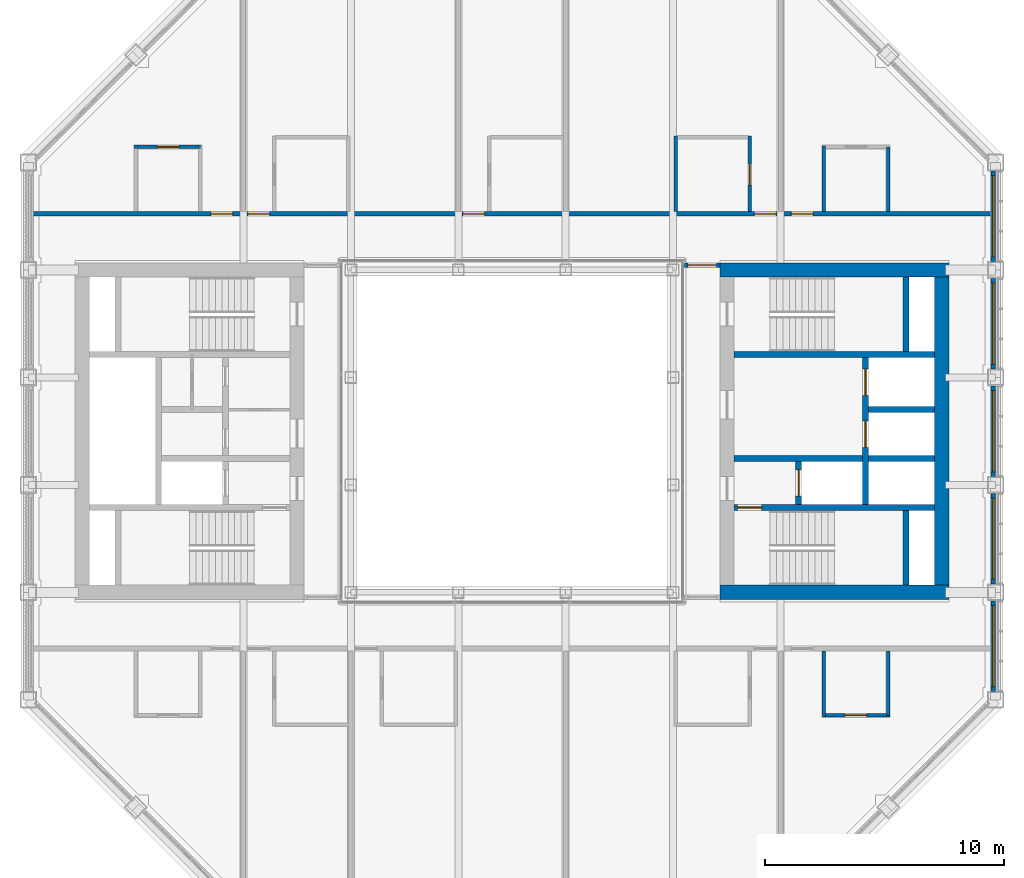
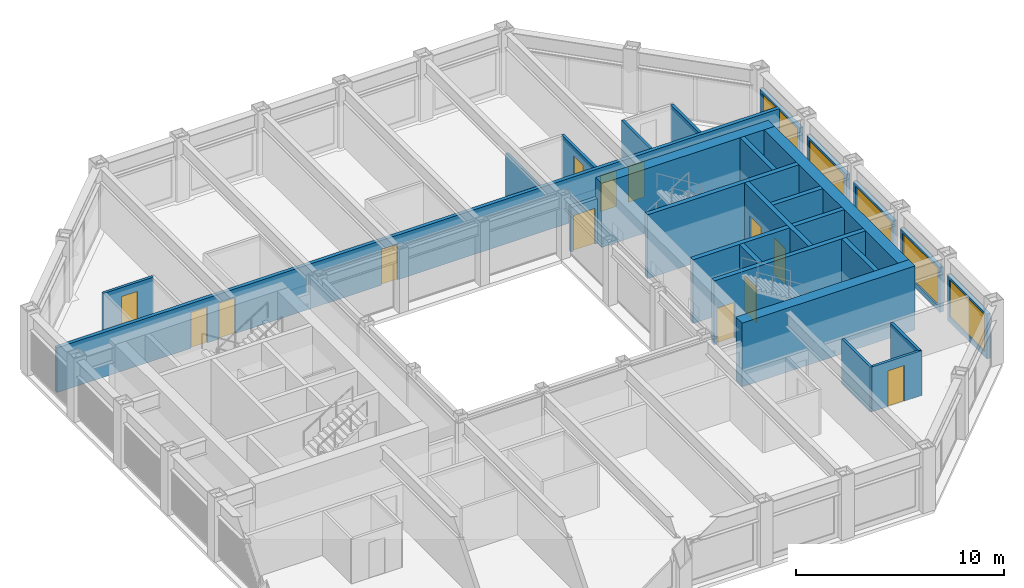
# One storey, part 11 of 16: 27 walls, 13 doors, 5 windows, 18 openings.
"""IFC4 building model written with IfcOpenShell, lengths in metres."""

from ifc_helpers import new_model, si_unit, direction, frame, frame_2d, origin, place, context, subcontext, project, spatial, rectangle, extrude, material, layer, layer_set, type_object, element, fill, save


model = new_model("IFC4")

# Units and contexts
model_context = context("Model", 3, precision=1e-05, world=origin(), true_north=direction((0.0, 1.0)))
body_context = subcontext(model_context, "Body", "Model", "MODEL_VIEW")
ifc_project = project(units=[si_unit("LENGTHUNIT", "METRE"), si_unit("AREAUNIT", "SQUARE_METRE"), si_unit("VOLUMEUNIT", "CUBIC_METRE"), si_unit("PLANEANGLEUNIT", "RADIAN"), si_unit("MASSUNIT", "GRAM", prefix="KILO")], contexts=[model_context])

# Site, building, storey
site_placement = place(None, origin())
site = spatial("IfcSite", under=ifc_project, at=site_placement, CompositionType="ELEMENT")
building_placement = place(site_placement, origin())
building = spatial("IfcBuilding", under=site, at=building_placement, Name="Msasa Ring Tower", CompositionType="ELEMENT")
storey_placement = place(building_placement, frame((0.0, 0.0, 212.050048828125)))
storey = spatial("IfcBuildingStorey", under=building, at=storey_placement, Name="L55", CompositionType="ELEMENT", Elevation=212.050048828125)

# Walls
ifc_material_1 = material(Name="Concrete C60/75", Category="concrete")
ifc_layer_1 = layer(ifc_material_1, 0.60009765625)
ifc_layer_set_1 = layer_set([ifc_layer_1], Name="CW3 CORE WALL 600")
wall_type_1 = type_object("IfcWallType", Name="CW3 CORE WALL 600", PredefinedType="SHEAR", material=ifc_layer_set_1)
for number, where, z_axis, x_axis, name in (
    (1, (8.699951171875, -6.75, 0.0), (0.0, 0.0, 1.0), (1.0, 0.0, 0.0), "E core wall S L55"),
    (2, (8.699951171875, 6.75, 0.0), (0.0, 0.0, 1.0), (1.0, 0.0, 0.0), "E core wall N L55"),
):
    element("IfcWall", number, at=place(storey_placement, frame(where, z_axis=z_axis, x_axis=x_axis)), inside=storey, type_object=wall_type_1, Name=name, PredefinedType="SHEAR", context=body_context, shape_type="SweptSolid", body=[
        extrude(rectangle(XDim=9.60009765625, YDim=0.60009765625, at=frame_2d((4.800048828125, 0.0))), origin(), (0.0, 0.0, 1.0), 3.75),
    ])
wall_1_placement = place(storey_placement, frame((18.0, -6.449951171875, 0.0), z_axis=(0.0, 0.0, 1.0), x_axis=(0.0, 1.0, 0.0)))
element("IfcWall", 3, at=wall_1_placement, inside=storey, type_object=wall_type_1, Name="E core wall E L55", PredefinedType="SHEAR", context=body_context, shape_type="SweptSolid", body=[
    extrude(rectangle(XDim=12.89990234375, YDim=0.60009765625, at=frame_2d((6.449951171875, 0.0))), origin(), (0.0, 0.0, 1.0), 3.75),
])

# Wall, opening, door
ifc_material_2 = material(Name="Concrete C60/75", Category="concrete")
ifc_layer_2 = layer(ifc_material_2, 0.25)
ifc_layer_set_2 = layer_set([ifc_layer_2], Name="CW4 CORE INNER WALL 250")
wall_type_2 = type_object("IfcWallType", Name="CW4 CORE INNER WALL 250", PredefinedType="SHEAR", material=ifc_layer_set_2)
wall_2_placement = place(storey_placement, frame((9.300048828125, -3.199951171875, 0.0), z_axis=(0.0, 0.0, 1.0), x_axis=(1.0, 0.0, 0.0)))
wall_2 = element("IfcWall", 4, at=wall_2_placement, inside=storey, type_object=wall_type_2, Name="E core wall STAIRA L55", PredefinedType="SHEAR", context=body_context, shape_type="SweptSolid", body=[
    extrude(rectangle(XDim=8.39990234375, YDim=0.25, at=frame_2d((4.199951171875, 0.0))), origin(), (0.0, 0.0, 1.0), 3.75),
])
opening_1_placement = place(wall_2_placement, frame((0.14990234375, 0.0, 0.0)))
opening_1 = element("IfcOpeningElement", 5, at=opening_1_placement, cuts=wall_2, Name="Opening SB-024", PredefinedType="OPENING", context=body_context, shape_type="SweptSolid", body=[
    extrude(rectangle(XDim=1.0, YDim=2.10009765625, at=frame_2d((0.5, 1.050048828125))), frame((0.0, 0.135009765625, 0.0), z_axis=(0.0, -1.0, 0.0), x_axis=(1.0, 0.0, 0.0)), (0.0, 0.0, 1.0), 0.27001953125),
])
ifc_material_3 = material(Name="Timber door leaf in a steel frame", Category="steel")
door_type_1 = type_object("IfcDoorType", Name="D6 STAIR DOOR 1000x2100", OperationType="SINGLE_SWING_LEFT", PredefinedType="DOOR", material=ifc_material_3)
door_1_placement = place(opening_1_placement, origin())
door_1 = element("IfcDoor", 6, at=door_1_placement, inside=storey, type_object=door_type_1, Name="Door L55-ESTA", OperationType="SINGLE_SWING_LEFT", OverallHeight=2.10009765625, OverallWidth=1.0, PredefinedType="DOOR", context=body_context, shape_type="SweptSolid", body=[
    extrude(rectangle(XDim=1.0, YDim=2.10009765625, at=frame_2d((0.5, 1.050048828125))), frame((0.0, 0.02490234375, 0.0), z_axis=(0.0, -1.0, 0.0), x_axis=(1.0, 0.0, 0.0)), (0.0, 0.0, 1.0), 0.050048828125),
])
fill(opening_1, door_1)

# Walls
wall_3_placement = place(storey_placement, frame((9.300048828125, 3.199951171875, 0.0), z_axis=(0.0, 0.0, 1.0), x_axis=(1.0, 0.0, 0.0)))
element("IfcWall", 7, at=wall_3_placement, inside=storey, type_object=wall_type_2, Name="E core wall STAIRB L55", PredefinedType="SHEAR", context=body_context, shape_type="SweptSolid", body=[
    extrude(rectangle(XDim=8.39990234375, YDim=0.25, at=frame_2d((4.199951171875, 0.0))), origin(), (0.0, 0.0, 1.0), 3.75),
])
for number, where, z_axis, x_axis, name in (
    (8, (16.5, -6.449951171875, 0.0), (0.0, 0.0, 1.0), (0.0, 1.0, 0.0), "E core wall RISERA L55"),
    (9, (16.5, 3.324951171875, 0.0), (0.0, 0.0, 1.0), (0.0, 1.0, 0.0), "E core wall RISERB L55"),
):
    element("IfcWall", number, at=place(storey_placement, frame(where, z_axis=z_axis, x_axis=x_axis)), inside=storey, type_object=wall_type_2, Name=name, PredefinedType="SHEAR", context=body_context, shape_type="SweptSolid", body=[
        extrude(rectangle(XDim=3.125, YDim=0.25, at=frame_2d((1.5625, 0.0))), origin(), (0.0, 0.0, 1.0), 3.75),
    ])
wall_4_placement = place(storey_placement, frame((9.300048828125, -1.14990234375, 0.0), z_axis=(0.0, 0.0, 1.0), x_axis=(1.0, 0.0, 0.0)))
element("IfcWall", 10, at=wall_4_placement, inside=storey, type_object=wall_type_2, Name="E core wall FFL L55", PredefinedType="SHEAR", context=body_context, shape_type="SweptSolid", body=[
    extrude(rectangle(XDim=5.375, YDim=0.25, at=frame_2d((2.6875, 0.0))), origin(), (0.0, 0.0, 1.0), 3.75),
])

# Wall, opening, door
wall_5_placement = place(storey_placement, frame((12.0, -3.074951171875, 0.0), z_axis=(0.0, 0.0, 1.0), x_axis=(0.0, 1.0, 0.0)))
wall_5 = element("IfcWall", 11, at=wall_5_placement, inside=storey, type_object=wall_type_2, Name="E core wall LOBBY L55", PredefinedType="SHEAR", context=body_context, shape_type="SweptSolid", body=[
    extrude(rectangle(XDim=1.800048828125, YDim=0.25, at=frame_2d((0.89990234375, 0.0))), origin(), (0.0, 0.0, 1.0), 3.75),
])
opening_2_placement = place(wall_5_placement, frame((0.35009765625, 0.0, 0.0)))
opening_2 = element("IfcOpeningElement", 12, at=opening_2_placement, cuts=wall_5, Name="Opening LD1", PredefinedType="OPENING", context=body_context, shape_type="SweptSolid", body=[
    extrude(rectangle(XDim=1.10009765625, YDim=2.10009765625, at=frame_2d((0.550048828125, 1.050048828125))), frame((0.0, 0.135009765625, 0.0), z_axis=(0.0, -1.0, 0.0), x_axis=(1.0, 0.0, 0.0)), (0.0, 0.0, 1.0), 0.27001953125),
])
ifc_material_4 = material(Name="Stainless steel lift landing door", Category="steel")
door_type_2 = type_object("IfcDoorType", Name="LD1 LIFT LANDING DOOR 1100x2100", OperationType="DOUBLE_DOOR_SLIDING", PredefinedType="DOOR", material=ifc_material_4)
door_2_placement = place(opening_2_placement, origin())
door_2 = element("IfcDoor", 13, at=door_2_placement, inside=storey, type_object=door_type_2, Name="Lift landing door FL-E L55", OperationType="DOUBLE_DOOR_SLIDING", OverallHeight=2.10009765625, OverallWidth=1.10009765625, PredefinedType="DOOR", context=body_context, shape_type="SweptSolid", body=[
    extrude(rectangle(XDim=1.10009765625, YDim=2.10009765625, at=frame_2d((0.550048828125, 1.050048828125))), frame((0.0, 0.02490234375, 0.0), z_axis=(0.0, -1.0, 0.0), x_axis=(1.0, 0.0, 0.0)), (0.0, 0.0, 1.0), 0.050048828125),
])
fill(opening_2, door_2)

# Wall, openings, doors
wall_6_placement = place(storey_placement, frame((14.800048828125, -3.074951171875, 0.0), z_axis=(0.0, 0.0, 1.0), x_axis=(0.0, 1.0, 0.0)))
wall_6 = element("IfcWall", 14, at=wall_6_placement, inside=storey, type_object=wall_type_2, Name="E core wall SHAFT L55", PredefinedType="SHEAR", context=body_context, shape_type="SweptSolid", body=[
    extrude(rectangle(XDim=6.14990234375, YDim=0.25, at=frame_2d((3.074951171875, 0.0))), origin(), (0.0, 0.0, 1.0), 3.75),
])
opening_3_placement = place(wall_6_placement, frame((2.39990234375, 0.0, 0.0)))
opening_3 = element("IfcOpeningElement", 15, at=opening_3_placement, cuts=wall_6, Name="Opening LD1", PredefinedType="OPENING", context=body_context, shape_type="SweptSolid", body=[
    extrude(rectangle(XDim=1.10009765625, YDim=2.10009765625, at=frame_2d((0.550048828125, 1.050048828125))), frame((0.0, 0.135009765625, 0.0), z_axis=(0.0, -1.0, 0.0), x_axis=(1.0, 0.0, 0.0)), (0.0, 0.0, 1.0), 0.27001953125),
])
opening_4_placement = place(wall_6_placement, frame((4.574951171875, 0.0, 0.0)))
opening_4 = element("IfcOpeningElement", 16, at=opening_4_placement, cuts=wall_6, Name="Opening LD1", PredefinedType="OPENING", context=body_context, shape_type="SweptSolid", body=[
    extrude(rectangle(XDim=1.10009765625, YDim=2.10009765625, at=frame_2d((0.550048828125, 1.050048828125))), frame((0.0, 0.135009765625, 0.0), z_axis=(0.0, -1.0, 0.0), x_axis=(1.0, 0.0, 0.0)), (0.0, 0.0, 1.0), 0.27001953125),
])
door_3_placement = place(opening_3_placement, origin())
door_3 = element("IfcDoor", 17, at=door_3_placement, inside=storey, type_object=door_type_2, Name="Lift landing door PL-H1 L55", OperationType="DOUBLE_DOOR_SLIDING", OverallHeight=2.10009765625, OverallWidth=1.10009765625, PredefinedType="DOOR", context=body_context, shape_type="SweptSolid", body=[
    extrude(rectangle(XDim=1.10009765625, YDim=2.10009765625, at=frame_2d((0.550048828125, 1.050048828125))), frame((0.0, 0.02490234375, 0.0), z_axis=(0.0, -1.0, 0.0), x_axis=(1.0, 0.0, 0.0)), (0.0, 0.0, 1.0), 0.050048828125),
])
fill(opening_3, door_3)
door_4_placement = place(opening_4_placement, origin())
door_4 = element("IfcDoor", 18, at=door_4_placement, inside=storey, type_object=door_type_2, Name="Lift landing door PL-H2 L55", OperationType="DOUBLE_DOOR_SLIDING", OverallHeight=2.10009765625, OverallWidth=1.10009765625, PredefinedType="DOOR", context=body_context, shape_type="SweptSolid", body=[
    extrude(rectangle(XDim=1.10009765625, YDim=2.10009765625, at=frame_2d((0.550048828125, 1.050048828125))), frame((0.0, 0.02490234375, 0.0), z_axis=(0.0, -1.0, 0.0), x_axis=(1.0, 0.0, 0.0)), (0.0, 0.0, 1.0), 0.050048828125),
])
fill(opening_4, door_4)

# Walls
for number, where, z_axis, x_axis, name in (
    (19, (14.925048828125, -1.14990234375, 0.0), (0.0, 0.0, 1.0), (1.0, 0.0, 0.0), "E core wall HSEP L55"),
    (20, (14.925048828125, 0.89990234375, 0.0), (0.0, 0.0, 1.0), (1.0, 0.0, 0.0), "E core wall HLIFT L55"),
):
    element("IfcWall", number, at=place(storey_placement, frame(where, z_axis=z_axis, x_axis=x_axis)), inside=storey, type_object=wall_type_2, Name=name, PredefinedType="SHEAR", context=body_context, shape_type="SweptSolid", body=[
        extrude(rectangle(XDim=2.77490234375, YDim=0.25, at=frame_2d((1.387451171875, 0.0))), origin(), (0.0, 0.0, 1.0), 3.75),
    ])

# Wall, opening, window
ifc_material_5 = material(Name="Terracotta rainscreen on blockwork", Category="masonry")
ifc_layer_3 = layer(ifc_material_5, 0.199951171875)
ifc_layer_set_3 = layer_set([ifc_layer_3], Name="FW1 TERRACOTTA-LINED INFILL BAY WALL 200")
wall_type_3 = type_object("IfcWallType", Name="FW1 TERRACOTTA-LINED INFILL BAY WALL 200", PredefinedType="SOLIDWALL", material=ifc_layer_set_3)
wall_7_placement = place(storey_placement, frame((20.14990234375, -10.89501953125, 0.0), z_axis=(0.0, 0.0, 1.0), x_axis=(0.0, 1.0, 0.0)))
wall_7 = element("IfcWall", 21, at=wall_7_placement, inside=storey, type_object=wall_type_3, Name="Infill bay wall E L55 07", PredefinedType="SOLIDWALL", context=body_context, shape_type="SweptSolid", body=[
    extrude(rectangle(XDim=3.7900390625, YDim=0.199951171875, at=frame_2d((1.89501953125, 0.0))), origin(), (0.0, 0.0, 1.0), 2.62890625),
])
opening_5_placement = place(wall_7_placement, frame((0.195068359375, 0.0, 0.300048828125)))
opening_5 = element("IfcOpeningElement", 22, at=opening_5_placement, cuts=wall_7, Name="Opening WN3", PredefinedType="OPENING", context=body_context, shape_type="SweptSolid", body=[
    extrude(rectangle(XDim=3.39990234375, YDim=2.178955078125, at=frame_2d((1.699951171875, 1.08935546875))), frame((0.0, 0.10986328125, 0.0), z_axis=(0.0, -1.0, 0.0), x_axis=(1.0, 0.0, 0.0)), (0.0, 0.0, 1.0), 0.219970703125),
])
ifc_material_6 = material(Name="Aluminium frame with clear glass", Category="aluminium")
window_type = type_object("IfcWindowType", Name="WN3 SUITE WINDOW 3400x2179", PartitioningType="SINGLE_PANEL", PredefinedType="WINDOW", material=ifc_material_6)
window_1_placement = place(opening_5_placement, origin())
window_1 = element("IfcWindow", 23, at=window_1_placement, inside=storey, type_object=window_type, Name="Window E L55 07", OverallHeight=2.178955078125, OverallWidth=3.39990234375, PartitioningType="SINGLE_PANEL", PredefinedType="WINDOW", context=body_context, shape_type="SweptSolid", body=[
    extrude(rectangle(XDim=3.39990234375, YDim=2.178955078125, at=frame_2d((1.699951171875, 1.08935546875))), frame((0.0, 0.030029296875, 0.0), z_axis=(0.0, -1.0, 0.0), x_axis=(1.0, 0.0, 0.0)), (0.0, 0.0, 1.0), 0.06005859375),
])
fill(opening_5, window_1)

wall_8_placement = place(storey_placement, frame((20.14990234375, -6.39501953125, 0.0), z_axis=(0.0, 0.0, 1.0), x_axis=(0.0, 1.0, 0.0)))
wall_8 = element("IfcWall", 24, at=wall_8_placement, inside=storey, type_object=wall_type_3, Name="Infill bay wall E L55 08", PredefinedType="SOLIDWALL", context=body_context, shape_type="SweptSolid", body=[
    extrude(rectangle(XDim=3.7900390625, YDim=0.199951171875, at=frame_2d((1.89501953125, 0.0))), origin(), (0.0, 0.0, 1.0), 2.62890625),
])
opening_6_placement = place(wall_8_placement, frame((0.195068359375, 0.0, 0.300048828125)))
opening_6 = element("IfcOpeningElement", 25, at=opening_6_placement, cuts=wall_8, Name="Opening WN3", PredefinedType="OPENING", context=body_context, shape_type="SweptSolid", body=[
    extrude(rectangle(XDim=3.39990234375, YDim=2.178955078125, at=frame_2d((1.699951171875, 1.08935546875))), frame((0.0, 0.10986328125, 0.0), z_axis=(0.0, -1.0, 0.0), x_axis=(1.0, 0.0, 0.0)), (0.0, 0.0, 1.0), 0.219970703125),
])
window_2_placement = place(opening_6_placement, origin())
window_2 = element("IfcWindow", 26, at=window_2_placement, inside=storey, type_object=window_type, Name="Window E L55 08", OverallHeight=2.178955078125, OverallWidth=3.39990234375, PartitioningType="SINGLE_PANEL", PredefinedType="WINDOW", context=body_context, shape_type="SweptSolid", body=[
    extrude(rectangle(XDim=3.39990234375, YDim=2.178955078125, at=frame_2d((1.699951171875, 1.08935546875))), frame((0.0, 0.030029296875, 0.0), z_axis=(0.0, -1.0, 0.0), x_axis=(1.0, 0.0, 0.0)), (0.0, 0.0, 1.0), 0.06005859375),
])
fill(opening_6, window_2)

wall_9_placement = place(storey_placement, frame((20.14990234375, -1.89501953125, 0.0), z_axis=(0.0, 0.0, 1.0), x_axis=(0.0, 1.0, 0.0)))
wall_9 = element("IfcWall", 27, at=wall_9_placement, inside=storey, type_object=wall_type_3, Name="Infill bay wall E L55 09", PredefinedType="SOLIDWALL", context=body_context, shape_type="SweptSolid", body=[
    extrude(rectangle(XDim=3.7900390625, YDim=0.199951171875, at=frame_2d((1.89501953125, 0.0))), origin(), (0.0, 0.0, 1.0), 2.62890625),
])
opening_7_placement = place(wall_9_placement, frame((0.195068359375, 0.0, 0.300048828125)))
opening_7 = element("IfcOpeningElement", 28, at=opening_7_placement, cuts=wall_9, Name="Opening WN3", PredefinedType="OPENING", context=body_context, shape_type="SweptSolid", body=[
    extrude(rectangle(XDim=3.39990234375, YDim=2.178955078125, at=frame_2d((1.699951171875, 1.08935546875))), frame((0.0, 0.10986328125, 0.0), z_axis=(0.0, -1.0, 0.0), x_axis=(1.0, 0.0, 0.0)), (0.0, 0.0, 1.0), 0.219970703125),
])
window_3_placement = place(opening_7_placement, origin())
window_3 = element("IfcWindow", 29, at=window_3_placement, inside=storey, type_object=window_type, Name="Window E L55 09", OverallHeight=2.178955078125, OverallWidth=3.39990234375, PartitioningType="SINGLE_PANEL", PredefinedType="WINDOW", context=body_context, shape_type="SweptSolid", body=[
    extrude(rectangle(XDim=3.39990234375, YDim=2.178955078125, at=frame_2d((1.699951171875, 1.08935546875))), frame((0.0, 0.030029296875, 0.0), z_axis=(0.0, -1.0, 0.0), x_axis=(1.0, 0.0, 0.0)), (0.0, 0.0, 1.0), 0.06005859375),
])
fill(opening_7, window_3)

wall_10_placement = place(storey_placement, frame((20.14990234375, 2.60498046875, 0.0), z_axis=(0.0, 0.0, 1.0), x_axis=(0.0, 1.0, 0.0)))
wall_10 = element("IfcWall", 30, at=wall_10_placement, inside=storey, type_object=wall_type_3, Name="Infill bay wall E L55 10", PredefinedType="SOLIDWALL", context=body_context, shape_type="SweptSolid", body=[
    extrude(rectangle(XDim=3.7900390625, YDim=0.199951171875, at=frame_2d((1.89501953125, 0.0))), origin(), (0.0, 0.0, 1.0), 2.62890625),
])
opening_8_placement = place(wall_10_placement, frame((0.195068359375, 0.0, 0.300048828125)))
opening_8 = element("IfcOpeningElement", 31, at=opening_8_placement, cuts=wall_10, Name="Opening WN3", PredefinedType="OPENING", context=body_context, shape_type="SweptSolid", body=[
    extrude(rectangle(XDim=3.39990234375, YDim=2.178955078125, at=frame_2d((1.699951171875, 1.08935546875))), frame((0.0, 0.10986328125, 0.0), z_axis=(0.0, -1.0, 0.0), x_axis=(1.0, 0.0, 0.0)), (0.0, 0.0, 1.0), 0.219970703125),
])
window_4_placement = place(opening_8_placement, origin())
window_4 = element("IfcWindow", 32, at=window_4_placement, inside=storey, type_object=window_type, Name="Window E L55 10", OverallHeight=2.178955078125, OverallWidth=3.39990234375, PartitioningType="SINGLE_PANEL", PredefinedType="WINDOW", context=body_context, shape_type="SweptSolid", body=[
    extrude(rectangle(XDim=3.39990234375, YDim=2.178955078125, at=frame_2d((1.699951171875, 1.08935546875))), frame((0.0, 0.030029296875, 0.0), z_axis=(0.0, -1.0, 0.0), x_axis=(1.0, 0.0, 0.0)), (0.0, 0.0, 1.0), 0.06005859375),
])
fill(opening_8, window_4)

wall_11_placement = place(storey_placement, frame((20.14990234375, 7.10498046875, 0.0), z_axis=(0.0, 0.0, 1.0), x_axis=(0.0, 1.0, 0.0)))
wall_11 = element("IfcWall", 33, at=wall_11_placement, inside=storey, type_object=wall_type_3, Name="Infill bay wall E L55 11", PredefinedType="SOLIDWALL", context=body_context, shape_type="SweptSolid", body=[
    extrude(rectangle(XDim=3.7900390625, YDim=0.199951171875, at=frame_2d((1.89501953125, 0.0))), origin(), (0.0, 0.0, 1.0), 2.62890625),
])
opening_9_placement = place(wall_11_placement, frame((0.195068359375, 0.0, 0.300048828125)))
opening_9 = element("IfcOpeningElement", 34, at=opening_9_placement, cuts=wall_11, Name="Opening WN3", PredefinedType="OPENING", context=body_context, shape_type="SweptSolid", body=[
    extrude(rectangle(XDim=3.39990234375, YDim=2.178955078125, at=frame_2d((1.699951171875, 1.08935546875))), frame((0.0, 0.10986328125, 0.0), z_axis=(0.0, -1.0, 0.0), x_axis=(1.0, 0.0, 0.0)), (0.0, 0.0, 1.0), 0.219970703125),
])
window_5_placement = place(opening_9_placement, origin())
window_5 = element("IfcWindow", 35, at=window_5_placement, inside=storey, type_object=window_type, Name="Window E L55 11", OverallHeight=2.178955078125, OverallWidth=3.39990234375, PartitioningType="SINGLE_PANEL", PredefinedType="WINDOW", context=body_context, shape_type="SweptSolid", body=[
    extrude(rectangle(XDim=3.39990234375, YDim=2.178955078125, at=frame_2d((1.699951171875, 1.08935546875))), frame((0.0, 0.030029296875, 0.0), z_axis=(0.0, -1.0, 0.0), x_axis=(1.0, 0.0, 0.0)), (0.0, 0.0, 1.0), 0.06005859375),
])
fill(opening_9, window_5)

# Wall, opening, door
ifc_material_7 = material(Name="Concrete blockwork", Category="masonry")
ifc_layer_4 = layer(ifc_material_7, 0.199951171875)
ifc_layer_set_4 = layer_set([ifc_layer_4], Name="PT1 CORRIDOR WALL 200")
wall_type_4 = type_object("IfcWallType", Name="PT1 CORRIDOR WALL 200", PredefinedType="PARTITIONING", material=ifc_layer_set_4)
wall_12_placement = place(storey_placement, frame((7.22998046875, 6.949951171875, 0.0), z_axis=(0.0, 0.0, 1.0), x_axis=(1.0, 0.0, 0.0)))
wall_12 = element("IfcWall", 36, at=wall_12_placement, inside=storey, type_object=wall_type_4, Name="Corridor wall L55-SDEN", PredefinedType="PARTITIONING", context=body_context, shape_type="SweptSolid", body=[
    extrude(rectangle(XDim=1.469970703125, YDim=0.199951171875, at=frame_2d((0.73486328125, 0.0))), origin(), (0.0, 0.0, 1.0), 2.62890625),
])
opening_10_placement = place(wall_12_placement, frame((0.135009765625, 0.0, 0.0)))
opening_10 = element("IfcOpeningElement", 37, at=opening_10_placement, cuts=wall_12, Name="Opening SB-012", PredefinedType="OPENING", context=body_context, shape_type="SweptSolid", body=[
    extrude(rectangle(XDim=1.199951171875, YDim=2.10009765625, at=frame_2d((0.60009765625, 1.050048828125))), frame((0.0, 0.10986328125, 0.0), z_axis=(0.0, -1.0, 0.0), x_axis=(1.0, 0.0, 0.0)), (0.0, 0.0, 1.0), 0.219970703125),
])
ifc_material_8 = material(Name="Timber door leaf in a steel frame", Category="steel")
door_type_3 = type_object("IfcDoorType", Name="D25 CORRIDOR PAIR OF SMOKE DOORS 1200x2100", OperationType="DOUBLE_DOOR_DOUBLE_SWING", PredefinedType="DOOR", material=ifc_material_8)
door_5_placement = place(opening_10_placement, origin())
door_5 = element("IfcDoor", 38, at=door_5_placement, inside=storey, type_object=door_type_3, Name="Door L55-SDEN", OperationType="DOUBLE_DOOR_DOUBLE_SWING", OverallHeight=2.10009765625, OverallWidth=1.199951171875, PredefinedType="DOOR", context=body_context, shape_type="SweptSolid", body=[
    extrude(rectangle(XDim=1.199951171875, YDim=2.10009765625, at=frame_2d((0.60009765625, 1.050048828125))), frame((0.0, 0.02490234375, 0.0), z_axis=(0.0, -1.0, 0.0), x_axis=(1.0, 0.0, 0.0)), (0.0, 0.0, 1.0), 0.050048828125),
])
fill(opening_10, door_5)

# Wall, openings, doors
wall_13_placement = place(storey_placement, frame((-20.050048828125, 9.10009765625, 0.0), z_axis=(0.0, 0.0, 1.0), x_axis=(1.0, 0.0, 0.0)))
wall_13 = element("IfcWall", 39, at=wall_13_placement, inside=storey, type_object=wall_type_4, Name="Corridor wall L55-CORRN0", PredefinedType="PARTITIONING", context=body_context, shape_type="SweptSolid", body=[
    extrude(rectangle(XDim=40.10009765625, YDim=0.199951171875, at=frame_2d((20.050048828125, 0.0))), origin(), (0.0, 0.0, 1.0), 2.62890625),
])
opening_11_placement = place(wall_13_placement, frame((9.0, 0.0, 0.0)))
opening_11 = element("IfcOpeningElement", 40, at=opening_11_placement, cuts=wall_13, Name="Opening SB-007", PredefinedType="OPENING", context=body_context, shape_type="SweptSolid", body=[
    extrude(rectangle(XDim=0.89990234375, YDim=2.10009765625, at=frame_2d((0.449951171875, 1.050048828125))), frame((0.0, 0.10986328125, 0.0), z_axis=(0.0, -1.0, 0.0), x_axis=(1.0, 0.0, 0.0)), (0.0, 0.0, 1.0), 0.219970703125),
])
opening_12_placement = place(wall_13_placement, frame((18.0, 0.0, 0.0)))
opening_12 = element("IfcOpeningElement", 41, at=opening_12_placement, cuts=wall_13, Name="Opening SB-008", PredefinedType="OPENING", context=body_context, shape_type="SweptSolid", body=[
    extrude(rectangle(XDim=0.89990234375, YDim=2.10009765625, at=frame_2d((0.449951171875, 1.050048828125))), frame((0.0, 0.10986328125, 0.0), z_axis=(0.0, -1.0, 0.0), x_axis=(1.0, 0.0, 0.0)), (0.0, 0.0, 1.0), 0.219970703125),
])
opening_13_placement = place(wall_13_placement, frame((30.199951171875, 0.0, 0.0)))
opening_13 = element("IfcOpeningElement", 42, at=opening_13_placement, cuts=wall_13, Name="Opening SB-009", PredefinedType="OPENING", context=body_context, shape_type="SweptSolid", body=[
    extrude(rectangle(XDim=0.89990234375, YDim=2.10009765625, at=frame_2d((0.449951171875, 1.050048828125))), frame((0.0, 0.10986328125, 0.0), z_axis=(0.0, -1.0, 0.0), x_axis=(1.0, 0.0, 0.0)), (0.0, 0.0, 1.0), 0.219970703125),
])
opening_14_placement = place(wall_13_placement, frame((31.75, 0.0, 0.0)))
opening_14 = element("IfcOpeningElement", 43, at=opening_14_placement, cuts=wall_13, Name="Opening SB-010", PredefinedType="OPENING", context=body_context, shape_type="SweptSolid", body=[
    extrude(rectangle(XDim=0.89990234375, YDim=2.10009765625, at=frame_2d((0.449951171875, 1.050048828125))), frame((0.0, 0.10986328125, 0.0), z_axis=(0.0, -1.0, 0.0), x_axis=(1.0, 0.0, 0.0)), (0.0, 0.0, 1.0), 0.219970703125),
])
opening_15_placement = place(wall_13_placement, frame((7.449951171875, 0.0, 0.0)))
opening_15 = element("IfcOpeningElement", 44, at=opening_15_placement, cuts=wall_13, Name="Opening SB-006", PredefinedType="OPENING", context=body_context, shape_type="SweptSolid", body=[
    extrude(rectangle(XDim=0.89990234375, YDim=2.10009765625, at=frame_2d((0.449951171875, 1.050048828125))), frame((0.0, 0.10986328125, 0.0), z_axis=(0.0, -1.0, 0.0), x_axis=(1.0, 0.0, 0.0)), (0.0, 0.0, 1.0), 0.219970703125),
])
ifc_material_9 = material(Name="Timber door leaf in a steel frame", Category="steel")
door_type_4 = type_object("IfcDoorType", Name="D1 SINGLE DOOR TO CORRIDOR 900x2100", OperationType="SINGLE_SWING_LEFT", PredefinedType="DOOR", material=ifc_material_9)
door_6_placement = place(opening_11_placement, origin())
door_6 = element("IfcDoor", 45, at=door_6_placement, inside=storey, type_object=door_type_4, Name="Door L55-JN00", OperationType="SINGLE_SWING_LEFT", OverallHeight=2.10009765625, OverallWidth=0.89990234375, PredefinedType="DOOR", context=body_context, shape_type="SweptSolid", body=[
    extrude(rectangle(XDim=0.89990234375, YDim=2.10009765625, at=frame_2d((0.449951171875, 1.050048828125))), frame((0.0, 0.02490234375, 0.0), z_axis=(0.0, -1.0, 0.0), x_axis=(1.0, 0.0, 0.0)), (0.0, 0.0, 1.0), 0.050048828125),
])
fill(opening_11, door_6)
door_7_placement = place(opening_12_placement, origin())
door_7 = element("IfcDoor", 46, at=door_7_placement, inside=storey, type_object=door_type_4, Name="Door L55-JN01", OperationType="SINGLE_SWING_LEFT", OverallHeight=2.10009765625, OverallWidth=0.89990234375, PredefinedType="DOOR", context=body_context, shape_type="SweptSolid", body=[
    extrude(rectangle(XDim=0.89990234375, YDim=2.10009765625, at=frame_2d((0.449951171875, 1.050048828125))), frame((0.0, 0.02490234375, 0.0), z_axis=(0.0, -1.0, 0.0), x_axis=(1.0, 0.0, 0.0)), (0.0, 0.0, 1.0), 0.050048828125),
])
fill(opening_12, door_7)
door_8_placement = place(opening_13_placement, origin())
door_8 = element("IfcDoor", 47, at=door_8_placement, inside=storey, type_object=door_type_4, Name="Door L55-JN02", OperationType="SINGLE_SWING_RIGHT", OverallHeight=2.10009765625, OverallWidth=0.89990234375, PredefinedType="DOOR", context=body_context, shape_type="SweptSolid", body=[
    extrude(rectangle(XDim=0.89990234375, YDim=2.10009765625, at=frame_2d((0.449951171875, 1.050048828125))), frame((0.0, 0.02490234375, 0.0), z_axis=(0.0, -1.0, 0.0), x_axis=(1.0, 0.0, 0.0)), (0.0, 0.0, 1.0), 0.050048828125),
])
fill(opening_13, door_8)
ifc_material_10 = material(Name="Timber door leaf in a steel frame", Category="steel")
door_type_5 = type_object("IfcDoorType", Name="D2 ENTRANCE DOOR 900x2100", OperationType="SINGLE_SWING_LEFT", PredefinedType="DOOR", material=ifc_material_10)
door_9_placement = place(opening_14_placement, origin())
door_9 = element("IfcDoor", 48, at=door_9_placement, inside=storey, type_object=door_type_5, Name="Door L55-CSNE", OperationType="SINGLE_SWING_RIGHT", OverallHeight=2.10009765625, OverallWidth=0.89990234375, PredefinedType="DOOR", context=body_context, shape_type="SweptSolid", body=[
    extrude(rectangle(XDim=0.89990234375, YDim=2.10009765625, at=frame_2d((0.449951171875, 1.050048828125))), frame((0.0, 0.02490234375, 0.0), z_axis=(0.0, -1.0, 0.0), x_axis=(1.0, 0.0, 0.0)), (0.0, 0.0, 1.0), 0.050048828125),
])
fill(opening_14, door_9)
door_10_placement = place(opening_15_placement, origin())
door_10 = element("IfcDoor", 49, at=door_10_placement, inside=storey, type_object=door_type_5, Name="Door L55-CSNW", OperationType="SINGLE_SWING_LEFT", OverallHeight=2.10009765625, OverallWidth=0.89990234375, PredefinedType="DOOR", context=body_context, shape_type="SweptSolid", body=[
    extrude(rectangle(XDim=0.89990234375, YDim=2.10009765625, at=frame_2d((0.449951171875, 1.050048828125))), frame((0.0, 0.02490234375, 0.0), z_axis=(0.0, -1.0, 0.0), x_axis=(1.0, 0.0, 0.0)), (0.0, 0.0, 1.0), 0.050048828125),
])
fill(opening_15, door_10)

# Wall, opening, door
ifc_material_11 = material(Name="Moisture-resistant board on steel studs with a concealed cistern and pipe void, tiled", Category="steel")
ifc_layer_5 = layer(ifc_material_11, 0.14990234375)
ifc_layer_set_5 = layer_set([ifc_layer_5], Name="PT4 BATHROOM WET WALL 150")
wall_type_5 = type_object("IfcWallType", Name="PT4 BATHROOM WET WALL 150", PredefinedType="PARTITIONING", material=ifc_layer_set_5)
wall_14_placement = place(storey_placement, frame((9.949951171875, 9.199951171875, 0.0), z_axis=(0.0, 0.0, 1.0), x_axis=(0.0, 1.0, 0.0)))
wall_14 = element("IfcWall", 50, at=wall_14_placement, inside=storey, type_object=wall_type_5, Name="Partition L55-JN02BX", PredefinedType="PARTITIONING", context=body_context, shape_type="SweptSolid", body=[
    extrude(rectangle(XDim=3.150146484375, YDim=0.14990234375, at=frame_2d((1.5751953125, 0.0))), origin(), (0.0, 0.0, 1.0), 2.62890625),
])
opening_16_placement = place(wall_14_placement, frame((1.10009765625, 0.0, 0.0)))
opening_16 = element("IfcOpeningElement", 51, at=opening_16_placement, cuts=wall_14, Name="Opening SB-005", PredefinedType="OPENING", context=body_context, shape_type="SweptSolid", body=[
    extrude(rectangle(XDim=0.89990234375, YDim=2.10009765625, at=frame_2d((0.449951171875, 1.050048828125))), frame((0.0, 0.0849609375, 0.0), z_axis=(0.0, -1.0, 0.0), x_axis=(1.0, 0.0, 0.0)), (0.0, 0.0, 1.0), 0.169921875),
])
ifc_material_12 = material(Name="Timber door leaf in a steel frame", Category="steel")
door_type_6 = type_object("IfcDoorType", Name="D3 BATHROOM DOOR 900x2100", OperationType="SINGLE_SWING_LEFT", PredefinedType="DOOR", material=ifc_material_12)
door_11_placement = place(opening_16_placement, origin())
door_11 = element("IfcDoor", 52, at=door_11_placement, inside=storey, type_object=door_type_6, Name="Door L55-JN02B", OperationType="SINGLE_SWING_LEFT", OverallHeight=2.10009765625, OverallWidth=0.89990234375, PredefinedType="DOOR", context=body_context, shape_type="SweptSolid", body=[
    extrude(rectangle(XDim=0.89990234375, YDim=2.10009765625, at=frame_2d((0.449951171875, 1.050048828125))), frame((0.0, 0.02490234375, 0.0), z_axis=(0.0, -1.0, 0.0), x_axis=(1.0, 0.0, 0.0)), (0.0, 0.0, 1.0), 0.050048828125),
])
fill(opening_16, door_11)

# Walls
wall_15_placement = place(storey_placement, frame((6.85009765625, 9.199951171875, 0.0), z_axis=(0.0, 0.0, 1.0), x_axis=(0.0, 1.0, 0.0)))
element("IfcWall", 53, at=wall_15_placement, inside=storey, type_object=wall_type_5, Name="Partition L55-JN02BF", PredefinedType="PARTITIONING", context=body_context, shape_type="SweptSolid", body=[
    extrude(rectangle(XDim=3.150146484375, YDim=0.14990234375, at=frame_2d((1.5751953125, 0.0))), origin(), (0.0, 0.0, 1.0), 2.62890625),
])
wall_16_placement = place(storey_placement, frame((13.050048828125, 9.199951171875, 0.0), z_axis=(0.0, 0.0, 1.0), x_axis=(0.0, 1.0, 0.0)))
element("IfcWall", 54, at=wall_16_placement, inside=storey, type_object=wall_type_5, Name="Partition L55-CSNEBX", PredefinedType="PARTITIONING", context=body_context, shape_type="SweptSolid", body=[
    extrude(rectangle(XDim=2.75, YDim=0.14990234375, at=frame_2d((1.375, 0.0))), origin(), (0.0, 0.0, 1.0), 2.62890625),
])
wall_17_placement = place(storey_placement, frame((15.75, 9.199951171875, 0.0), z_axis=(0.0, 0.0, 1.0), x_axis=(0.0, 1.0, 0.0)))
element("IfcWall", 55, at=wall_17_placement, inside=storey, type_object=wall_type_5, Name="Partition L55-CSNEBE", PredefinedType="PARTITIONING", context=body_context, shape_type="SweptSolid", body=[
    extrude(rectangle(XDim=2.699951171875, YDim=0.14990234375, at=frame_2d((1.35009765625, 0.0))), origin(), (0.0, 0.0, 1.0), 2.62890625),
])

# Wall, opening, door
wall_18_placement = place(storey_placement, frame((-15.824951171875, 11.89990234375, 0.0), z_axis=(0.0, 0.0, 1.0), x_axis=(1.0, 0.0, 0.0)))
wall_18 = element("IfcWall", 56, at=wall_18_placement, inside=storey, type_object=wall_type_5, Name="Partition L55-CSNWBY", PredefinedType="PARTITIONING", context=body_context, shape_type="SweptSolid", body=[
    extrude(rectangle(XDim=2.77490234375, YDim=0.14990234375, at=frame_2d((1.387451171875, 0.0))), origin(), (0.0, 0.0, 1.0), 2.62890625),
])
opening_17_placement = place(wall_18_placement, frame((0.97509765625, 0.0, 0.0)))
opening_17 = element("IfcOpeningElement", 57, at=opening_17_placement, cuts=wall_18, Name="Opening SB-001", PredefinedType="OPENING", context=body_context, shape_type="SweptSolid", body=[
    extrude(rectangle(XDim=0.89990234375, YDim=2.10009765625, at=frame_2d((0.449951171875, 1.050048828125))), frame((0.0, 0.0849609375, 0.0), z_axis=(0.0, -1.0, 0.0), x_axis=(1.0, 0.0, 0.0)), (0.0, 0.0, 1.0), 0.169921875),
])
door_12_placement = place(opening_17_placement, origin())
door_12 = element("IfcDoor", 58, at=door_12_placement, inside=storey, type_object=door_type_6, Name="Door L55-CSNWB1", OperationType="SINGLE_SWING_RIGHT", OverallHeight=2.10009765625, OverallWidth=0.89990234375, PredefinedType="DOOR", context=body_context, shape_type="SweptSolid", body=[
    extrude(rectangle(XDim=0.89990234375, YDim=2.10009765625, at=frame_2d((0.449951171875, 1.050048828125))), frame((0.0, 0.02490234375, 0.0), z_axis=(0.0, -1.0, 0.0), x_axis=(1.0, 0.0, 0.0)), (0.0, 0.0, 1.0), 0.050048828125),
])
fill(opening_17, door_12)

# Wall
wall_19_placement = place(storey_placement, frame((13.050048828125, -11.949951171875, 0.0), z_axis=(0.0, 0.0, 1.0), x_axis=(0.0, 1.0, 0.0)))
element("IfcWall", 59, at=wall_19_placement, inside=storey, type_object=wall_type_5, Name="Partition L55-CSSEBX", PredefinedType="PARTITIONING", context=body_context, shape_type="SweptSolid", body=[
    extrude(rectangle(XDim=2.75, YDim=0.14990234375, at=frame_2d((1.375, 0.0))), origin(), (0.0, 0.0, 1.0), 2.62890625),
])

# Wall, opening, door
wall_20_placement = place(storey_placement, frame((13.050048828125, -11.89990234375, 0.0), z_axis=(0.0, 0.0, 1.0), x_axis=(1.0, 0.0, 0.0)))
wall_20 = element("IfcWall", 60, at=wall_20_placement, inside=storey, type_object=wall_type_5, Name="Partition L55-CSSEBY", PredefinedType="PARTITIONING", context=body_context, shape_type="SweptSolid", body=[
    extrude(rectangle(XDim=2.77490234375, YDim=0.14990234375, at=frame_2d((1.387451171875, 0.0))), origin(), (0.0, 0.0, 1.0), 2.62890625),
])
opening_18_placement = place(wall_20_placement, frame((0.89990234375, 0.0, 0.0)))
opening_18 = element("IfcOpeningElement", 61, at=opening_18_placement, cuts=wall_20, Name="Opening SB-036", PredefinedType="OPENING", context=body_context, shape_type="SweptSolid", body=[
    extrude(rectangle(XDim=0.89990234375, YDim=2.10009765625, at=frame_2d((0.449951171875, 1.050048828125))), frame((0.0, 0.0849609375, 0.0), z_axis=(0.0, -1.0, 0.0), x_axis=(1.0, 0.0, 0.0)), (0.0, 0.0, 1.0), 0.169921875),
])
door_13_placement = place(opening_18_placement, origin())
door_13 = element("IfcDoor", 62, at=door_13_placement, inside=storey, type_object=door_type_6, Name="Door L55-CSSEB1", OperationType="SINGLE_SWING_LEFT", OverallHeight=2.10009765625, OverallWidth=0.89990234375, PredefinedType="DOOR", context=body_context, shape_type="SweptSolid", body=[
    extrude(rectangle(XDim=0.89990234375, YDim=2.10009765625, at=frame_2d((0.449951171875, 1.050048828125))), frame((0.0, 0.02490234375, 0.0), z_axis=(0.0, -1.0, 0.0), x_axis=(1.0, 0.0, 0.0)), (0.0, 0.0, 1.0), 0.050048828125),
])
fill(opening_18, door_13)

# Wall
wall_21_placement = place(storey_placement, frame((15.75, -11.89990234375, 0.0), z_axis=(0.0, 0.0, 1.0), x_axis=(0.0, 1.0, 0.0)))
element("IfcWall", 63, at=wall_21_placement, inside=storey, type_object=wall_type_5, Name="Partition L55-CSSEBE", PredefinedType="PARTITIONING", context=body_context, shape_type="SweptSolid", body=[
    extrude(rectangle(XDim=2.699951171875, YDim=0.14990234375, at=frame_2d((1.35009765625, 0.0))), origin(), (0.0, 0.0, 1.0), 2.62890625),
])

save(model, "model.ifc")
